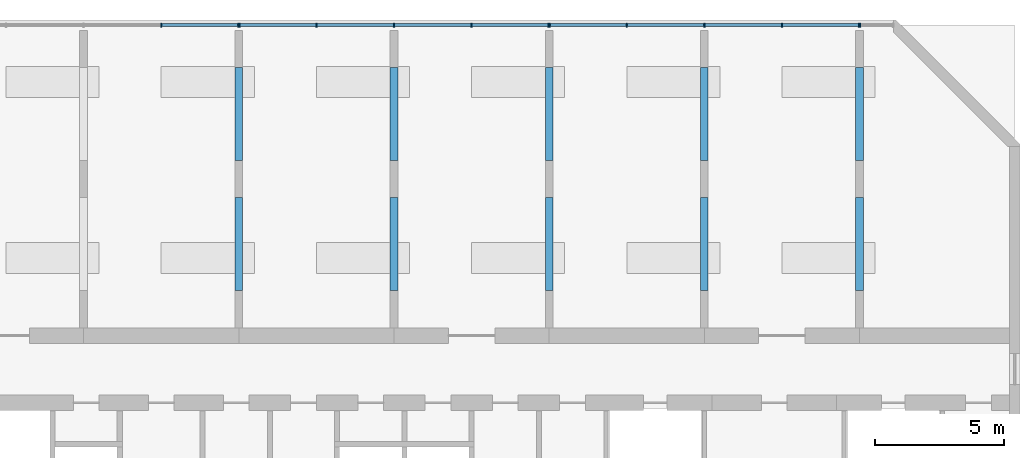
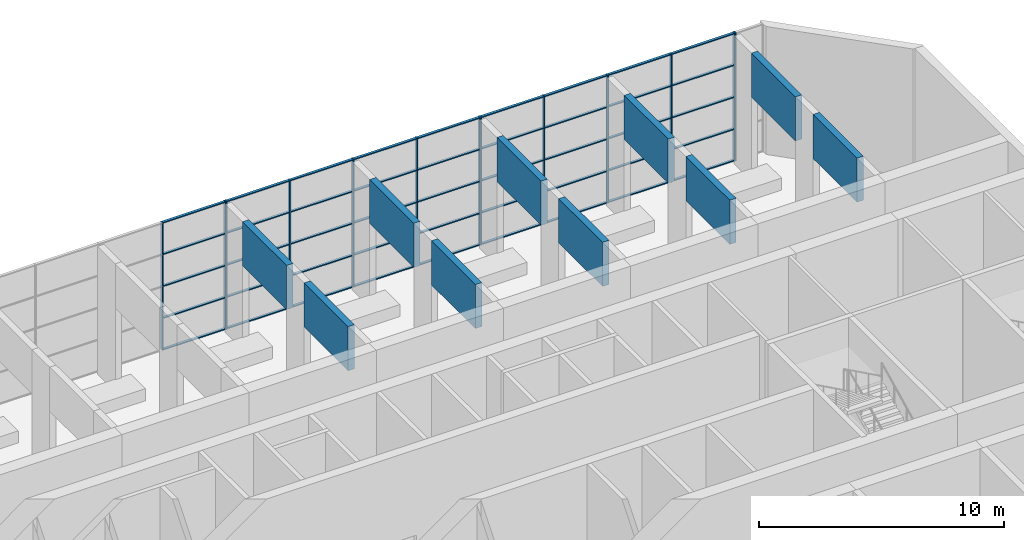
# One storey, part 2 of 13: 58 members, 10 beams, 4 elements without a shape of their own.
"""IFC4 building model written with IfcOpenShell, lengths in metres."""

from ifc_helpers import new_model, si_unit, direction, frame, origin, origin_2d, place, context, subcontext, project, spatial, rectangle, extrude, source, transform, mapped, material, layer, layer_set, material_profile, profile_set, type_object, element, aggregate, save


model = new_model("IFC4")

# Units and contexts
model_context = context("Model", 3, precision=1e-05, world=origin(), true_north=direction((0.0, 1.0)))
body_context = subcontext(model_context, "Body", "Model", "MODEL_VIEW")
ifc_project = project(units=[si_unit("LENGTHUNIT", "METRE"), si_unit("AREAUNIT", "SQUARE_METRE"), si_unit("VOLUMEUNIT", "CUBIC_METRE"), si_unit("PLANEANGLEUNIT", "RADIAN"), si_unit("MASSUNIT", "GRAM", prefix="KILO")], contexts=[model_context])

# Site, building, storey
site_placement = place(None, origin())
site = spatial("IfcSite", under=ifc_project, at=site_placement, CompositionType="ELEMENT")
building_placement = place(site_placement, origin())
building = spatial("IfcBuilding", under=site, at=building_placement, Name="Poui Terraces", CompositionType="ELEMENT")
storey_placement = place(building_placement, frame((0.0, 0.0, 165.300048828125)))
storey = spatial("IfcBuildingStorey", under=building, at=storey_placement, Name="L46", CompositionType="ELEMENT", Elevation=165.300048828125)

# Curtain wall, members
ifc_material_1 = material(Name="Clear glass", Category="glass")
ifc_layer = layer(ifc_material_1, 0.159912109375)
ifc_layer_set = layer_set([ifc_layer], Name="Clear glass")
curtain_wall_type = type_object("IfcCurtainWallType", Name="CURTAIN WALL CW-D SKY GARDEN GLAZING", PredefinedType="NOTDEFINED", material=ifc_layer_set)
curtain_wall_1_placement = place(storey_placement, origin())
curtain_wall_1 = element("IfcCurtainWall", 1, at=curtain_wall_1_placement, inside=storey, type_object=curtain_wall_type, Name="CW-D SKY GARDEN GLAZING", PredefinedType="NOTDEFINED")
ifc_material_2 = material(Name="Aluminium frame", Category="aluminium")
ifc_material_profile_1 = material_profile(ifc_material_2, rectangle(XDim=0.159912109375, YDim=0.050048828125, at=origin_2d()), Name="CW-D MULLION 50X160")
ifc_profile_set_1 = profile_set([ifc_material_profile_1], Name="Aluminium frame")
member_type_1 = type_object("IfcMemberType", Name="CW-D MULLION 50X160", PredefinedType="MULLION", material=ifc_profile_set_1)
member_1_placement = place(storey_placement, frame((53.97509765625, 42.39990234375, 0.0), z_axis=(0.0, 0.0, 1.0), x_axis=(0.0, -1.0, 0.0)))
member_1 = element("IfcMember", 2, at=member_1_placement, type_object=member_type_1, Name="CW-D mullion 1", PredefinedType="MULLION", context=body_context, shape_type="SweptSolid", body=[
    extrude(rectangle(XDim=0.159912109375, YDim=0.050048828125, at=origin_2d()), origin(), (0.0, 0.0, 1.0), 6.3798828125),
])
member_2_placement = place(storey_placement, frame((51.0, 42.39990234375, 0.0), z_axis=(0.0, 0.0, 1.0), x_axis=(0.0, -1.0, 0.0)))
member_2 = element("IfcMember", 3, at=member_2_placement, type_object=member_type_1, Name="CW-D mullion 2", PredefinedType="MULLION", context=body_context, shape_type="SweptSolid", body=[
    extrude(rectangle(XDim=0.159912109375, YDim=0.050048828125, at=origin_2d()), origin(), (0.0, 0.0, 1.0), 6.3798828125),
])

curtain_wall_2_placement = place(storey_placement, origin())
curtain_wall_2 = element("IfcCurtainWall", 4, at=curtain_wall_2_placement, inside=storey, type_object=curtain_wall_type, Name="CW-D SKY GARDEN GLAZING", PredefinedType="NOTDEFINED")
member_3_placement = place(storey_placement, frame((65.97509765625, 42.39990234375, 0.0), z_axis=(0.0, 0.0, 1.0), x_axis=(0.0, -1.0, 0.0)))
member_3 = element("IfcMember", 5, at=member_3_placement, type_object=member_type_1, Name="CW-D mullion 1", PredefinedType="MULLION", context=body_context, shape_type="SweptSolid", body=[
    extrude(rectangle(XDim=0.159912109375, YDim=0.050048828125, at=origin_2d()), origin(), (0.0, 0.0, 1.0), 6.3798828125),
])
member_4_placement = place(storey_placement, frame((63.0, 42.39990234375, 0.0), z_axis=(0.0, 0.0, 1.0), x_axis=(0.0, -1.0, 0.0)))
member_4 = element("IfcMember", 6, at=member_4_placement, type_object=member_type_1, Name="CW-D mullion 2", PredefinedType="MULLION", context=body_context, shape_type="SweptSolid", body=[
    extrude(rectangle(XDim=0.159912109375, YDim=0.050048828125, at=origin_2d()), origin(), (0.0, 0.0, 1.0), 6.3798828125),
])
member_5_placement = place(storey_placement, frame((60.0, 42.39990234375, 0.0), z_axis=(0.0, 0.0, 1.0), x_axis=(0.0, -1.0, 0.0)))
member_5 = element("IfcMember", 7, at=member_5_placement, type_object=member_type_1, Name="CW-D mullion 3", PredefinedType="MULLION", context=body_context, shape_type="SweptSolid", body=[
    extrude(rectangle(XDim=0.159912109375, YDim=0.050048828125, at=origin_2d()), origin(), (0.0, 0.0, 1.0), 6.3798828125),
])
member_6_placement = place(storey_placement, frame((57.0, 42.39990234375, 0.0), z_axis=(0.0, 0.0, 1.0), x_axis=(0.0, -1.0, 0.0)))
member_6 = element("IfcMember", 8, at=member_6_placement, type_object=member_type_1, Name="CW-D mullion 4", PredefinedType="MULLION", context=body_context, shape_type="SweptSolid", body=[
    extrude(rectangle(XDim=0.159912109375, YDim=0.050048828125, at=origin_2d()), origin(), (0.0, 0.0, 1.0), 6.3798828125),
])
member_7_placement = place(storey_placement, frame((54.02490234375, 42.39990234375, 0.0), z_axis=(0.0, 0.0, 1.0), x_axis=(0.0, -1.0, 0.0)))
member_7 = element("IfcMember", 9, at=member_7_placement, type_object=member_type_1, Name="CW-D mullion 5", PredefinedType="MULLION", context=body_context, shape_type="SweptSolid", body=[
    extrude(rectangle(XDim=0.159912109375, YDim=0.050048828125, at=origin_2d()), origin(), (0.0, 0.0, 1.0), 6.3798828125),
])

curtain_wall_3_placement = place(storey_placement, origin())
curtain_wall_3 = element("IfcCurtainWall", 10, at=curtain_wall_3_placement, inside=storey, type_object=curtain_wall_type, Name="CW-D SKY GARDEN GLAZING", PredefinedType="NOTDEFINED")
member_8_placement = place(storey_placement, frame((77.97509765625, 42.39990234375, 0.0), z_axis=(0.0, 0.0, 1.0), x_axis=(0.0, -1.0, 0.0)))
member_8 = element("IfcMember", 11, at=member_8_placement, type_object=member_type_1, Name="CW-D mullion 1", PredefinedType="MULLION", context=body_context, shape_type="SweptSolid", body=[
    extrude(rectangle(XDim=0.159912109375, YDim=0.050048828125, at=origin_2d()), origin(), (0.0, 0.0, 1.0), 6.3798828125),
])
member_9_placement = place(storey_placement, frame((75.0, 42.39990234375, 0.0), z_axis=(0.0, 0.0, 1.0), x_axis=(0.0, -1.0, 0.0)))
member_9 = element("IfcMember", 12, at=member_9_placement, type_object=member_type_1, Name="CW-D mullion 2", PredefinedType="MULLION", context=body_context, shape_type="SweptSolid", body=[
    extrude(rectangle(XDim=0.159912109375, YDim=0.050048828125, at=origin_2d()), origin(), (0.0, 0.0, 1.0), 6.3798828125),
])
member_10_placement = place(storey_placement, frame((72.0, 42.39990234375, 0.0), z_axis=(0.0, 0.0, 1.0), x_axis=(0.0, -1.0, 0.0)))
member_10 = element("IfcMember", 13, at=member_10_placement, type_object=member_type_1, Name="CW-D mullion 3", PredefinedType="MULLION", context=body_context, shape_type="SweptSolid", body=[
    extrude(rectangle(XDim=0.159912109375, YDim=0.050048828125, at=origin_2d()), origin(), (0.0, 0.0, 1.0), 6.3798828125),
])
member_11_placement = place(storey_placement, frame((69.0, 42.39990234375, 0.0), z_axis=(0.0, 0.0, 1.0), x_axis=(0.0, -1.0, 0.0)))
member_11 = element("IfcMember", 14, at=member_11_placement, type_object=member_type_1, Name="CW-D mullion 4", PredefinedType="MULLION", context=body_context, shape_type="SweptSolid", body=[
    extrude(rectangle(XDim=0.159912109375, YDim=0.050048828125, at=origin_2d()), origin(), (0.0, 0.0, 1.0), 6.3798828125),
])
member_12_placement = place(storey_placement, frame((66.02490234375, 42.39990234375, 0.0), z_axis=(0.0, 0.0, 1.0), x_axis=(0.0, -1.0, 0.0)))
member_12 = element("IfcMember", 15, at=member_12_placement, type_object=member_type_1, Name="CW-D mullion 5", PredefinedType="MULLION", context=body_context, shape_type="SweptSolid", body=[
    extrude(rectangle(XDim=0.159912109375, YDim=0.050048828125, at=origin_2d()), origin(), (0.0, 0.0, 1.0), 6.3798828125),
])

# Curtain wall, member
curtain_wall_4_placement = place(storey_placement, origin())
curtain_wall_4 = element("IfcCurtainWall", 16, at=curtain_wall_4_placement, inside=storey, type_object=curtain_wall_type, Name="CW-D SKY GARDEN GLAZING", PredefinedType="NOTDEFINED")
member_13_placement = place(storey_placement, frame((78.02490234375, 42.39990234375, 0.0), z_axis=(0.0, 0.0, 1.0), x_axis=(0.0, -1.0, 0.0)))
member_13 = element("IfcMember", 17, at=member_13_placement, type_object=member_type_1, Name="CW-D mullion 2", PredefinedType="MULLION", context=body_context, shape_type="SweptSolid", body=[
    extrude(rectangle(XDim=0.159912109375, YDim=0.050048828125, at=origin_2d()), origin(), (0.0, 0.0, 1.0), 6.3798828125),
])
aggregate(curtain_wall_4, [member_13])

# Member
ifc_material_profile_2 = material_profile(ifc_material_2, rectangle(XDim=0.1201171875, YDim=0.050048828125, at=origin_2d()), Name="CW-D TRANSOM 50X120")
ifc_profile_set_2 = profile_set([ifc_material_profile_2], Name="Aluminium frame")
member_type_2 = type_object("IfcMemberType", Name="CW-D TRANSOM 50X120", PredefinedType="USERDEFINED", material=ifc_profile_set_2)
member_14_placement = place(storey_placement, frame((53.949951171875, 42.39990234375, 0.02490234375), z_axis=(-1.0, 0.0, 0.0), x_axis=(0.0, -1.0, 0.0)))
member_14 = element("IfcMember", 18, at=member_14_placement, type_object=member_type_2, Name="CW-D transom 1.1", ObjectType="TRANSOM", PredefinedType="USERDEFINED", context=body_context, shape_type="SweptSolid", body=[
    extrude(rectangle(XDim=0.1201171875, YDim=0.050048828125, at=origin_2d()), origin(), (0.0, 0.0, 1.0), 2.925048828125),
])

member_15_placement = place(storey_placement, frame((53.949951171875, 42.39990234375, 1.594970703125), z_axis=(-1.0, 0.0, 0.0), x_axis=(0.0, -1.0, 0.0)))
member_15 = element("IfcMember", 19, at=member_15_placement, type_object=member_type_2, Name="CW-D transom 1.2", ObjectType="TRANSOM", PredefinedType="USERDEFINED", context=body_context, shape_type="SweptSolid", body=[
    extrude(rectangle(XDim=0.1201171875, YDim=0.050048828125, at=origin_2d()), origin(), (0.0, 0.0, 1.0), 2.925048828125),
])

member_16_placement = place(storey_placement, frame((53.949951171875, 42.39990234375, 3.18994140625), z_axis=(-1.0, 0.0, 0.0), x_axis=(0.0, -1.0, 0.0)))
member_16 = element("IfcMember", 20, at=member_16_placement, type_object=member_type_2, Name="CW-D transom 1.3", ObjectType="TRANSOM", PredefinedType="USERDEFINED", context=body_context, shape_type="SweptSolid", body=[
    extrude(rectangle(XDim=0.1201171875, YDim=0.050048828125, at=origin_2d()), origin(), (0.0, 0.0, 1.0), 2.925048828125),
])

member_17_placement = place(storey_placement, frame((53.949951171875, 42.39990234375, 4.784912109375), z_axis=(-1.0, 0.0, 0.0), x_axis=(0.0, -1.0, 0.0)))
member_17 = element("IfcMember", 21, at=member_17_placement, type_object=member_type_2, Name="CW-D transom 1.4", ObjectType="TRANSOM", PredefinedType="USERDEFINED", context=body_context, shape_type="SweptSolid", body=[
    extrude(rectangle(XDim=0.1201171875, YDim=0.050048828125, at=origin_2d()), origin(), (0.0, 0.0, 1.0), 2.925048828125),
])

member_18_placement = place(storey_placement, frame((53.949951171875, 42.39990234375, 6.35498046875), z_axis=(-1.0, 0.0, 0.0), x_axis=(0.0, -1.0, 0.0)))
member_18 = element("IfcMember", 22, at=member_18_placement, type_object=member_type_2, Name="CW-D transom 1.5", ObjectType="TRANSOM", PredefinedType="USERDEFINED", context=body_context, shape_type="SweptSolid", body=[
    extrude(rectangle(XDim=0.1201171875, YDim=0.050048828125, at=origin_2d()), origin(), (0.0, 0.0, 1.0), 2.925048828125),
])

aggregate(curtain_wall_1, [member_1, member_2, member_14, member_15, member_16, member_17, member_18])

member_19_placement = place(storey_placement, frame((65.949951171875, 42.39990234375, 0.02490234375), z_axis=(-1.0, 0.0, 0.0), x_axis=(0.0, -1.0, 0.0)))
member_19 = element("IfcMember", 23, at=member_19_placement, type_object=member_type_2, Name="CW-D transom 1.1", ObjectType="TRANSOM", PredefinedType="USERDEFINED", context=body_context, shape_type="SweptSolid", body=[
    extrude(rectangle(XDim=0.1201171875, YDim=0.050048828125, at=origin_2d()), origin(), (0.0, 0.0, 1.0), 2.925048828125),
])

member_20_placement = place(storey_placement, frame((65.949951171875, 42.39990234375, 1.594970703125), z_axis=(-1.0, 0.0, 0.0), x_axis=(0.0, -1.0, 0.0)))
member_20 = element("IfcMember", 24, at=member_20_placement, type_object=member_type_2, Name="CW-D transom 1.2", ObjectType="TRANSOM", PredefinedType="USERDEFINED", context=body_context, shape_type="SweptSolid", body=[
    extrude(rectangle(XDim=0.1201171875, YDim=0.050048828125, at=origin_2d()), origin(), (0.0, 0.0, 1.0), 2.925048828125),
])

member_21_placement = place(storey_placement, frame((65.949951171875, 42.39990234375, 3.18994140625), z_axis=(-1.0, 0.0, 0.0), x_axis=(0.0, -1.0, 0.0)))
member_21 = element("IfcMember", 25, at=member_21_placement, type_object=member_type_2, Name="CW-D transom 1.3", ObjectType="TRANSOM", PredefinedType="USERDEFINED", context=body_context, shape_type="SweptSolid", body=[
    extrude(rectangle(XDim=0.1201171875, YDim=0.050048828125, at=origin_2d()), origin(), (0.0, 0.0, 1.0), 2.925048828125),
])

member_22_placement = place(storey_placement, frame((65.949951171875, 42.39990234375, 4.784912109375), z_axis=(-1.0, 0.0, 0.0), x_axis=(0.0, -1.0, 0.0)))
member_22 = element("IfcMember", 26, at=member_22_placement, type_object=member_type_2, Name="CW-D transom 1.4", ObjectType="TRANSOM", PredefinedType="USERDEFINED", context=body_context, shape_type="SweptSolid", body=[
    extrude(rectangle(XDim=0.1201171875, YDim=0.050048828125, at=origin_2d()), origin(), (0.0, 0.0, 1.0), 2.925048828125),
])

member_23_placement = place(storey_placement, frame((65.949951171875, 42.39990234375, 6.35498046875), z_axis=(-1.0, 0.0, 0.0), x_axis=(0.0, -1.0, 0.0)))
member_23 = element("IfcMember", 27, at=member_23_placement, type_object=member_type_2, Name="CW-D transom 1.5", ObjectType="TRANSOM", PredefinedType="USERDEFINED", context=body_context, shape_type="SweptSolid", body=[
    extrude(rectangle(XDim=0.1201171875, YDim=0.050048828125, at=origin_2d()), origin(), (0.0, 0.0, 1.0), 2.925048828125),
])

member_24_placement = place(storey_placement, frame((62.97509765625, 42.39990234375, 0.02490234375), z_axis=(-1.0, 0.0, 0.0), x_axis=(0.0, -1.0, 0.0)))
member_24 = element("IfcMember", 28, at=member_24_placement, type_object=member_type_2, Name="CW-D transom 2.1", ObjectType="TRANSOM", PredefinedType="USERDEFINED", context=body_context, shape_type="SweptSolid", body=[
    extrude(rectangle(XDim=0.1201171875, YDim=0.050048828125, at=origin_2d()), origin(), (0.0, 0.0, 1.0), 2.9501953125),
])

member_25_placement = place(storey_placement, frame((62.97509765625, 42.39990234375, 1.594970703125), z_axis=(-1.0, 0.0, 0.0), x_axis=(0.0, -1.0, 0.0)))
member_25 = element("IfcMember", 29, at=member_25_placement, type_object=member_type_2, Name="CW-D transom 2.2", ObjectType="TRANSOM", PredefinedType="USERDEFINED", context=body_context, shape_type="SweptSolid", body=[
    extrude(rectangle(XDim=0.1201171875, YDim=0.050048828125, at=origin_2d()), origin(), (0.0, 0.0, 1.0), 2.9501953125),
])

member_26_placement = place(storey_placement, frame((62.97509765625, 42.39990234375, 3.18994140625), z_axis=(-1.0, 0.0, 0.0), x_axis=(0.0, -1.0, 0.0)))
member_26 = element("IfcMember", 30, at=member_26_placement, type_object=member_type_2, Name="CW-D transom 2.3", ObjectType="TRANSOM", PredefinedType="USERDEFINED", context=body_context, shape_type="SweptSolid", body=[
    extrude(rectangle(XDim=0.1201171875, YDim=0.050048828125, at=origin_2d()), origin(), (0.0, 0.0, 1.0), 2.9501953125),
])

member_27_placement = place(storey_placement, frame((62.97509765625, 42.39990234375, 4.784912109375), z_axis=(-1.0, 0.0, 0.0), x_axis=(0.0, -1.0, 0.0)))
member_27 = element("IfcMember", 31, at=member_27_placement, type_object=member_type_2, Name="CW-D transom 2.4", ObjectType="TRANSOM", PredefinedType="USERDEFINED", context=body_context, shape_type="SweptSolid", body=[
    extrude(rectangle(XDim=0.1201171875, YDim=0.050048828125, at=origin_2d()), origin(), (0.0, 0.0, 1.0), 2.9501953125),
])

member_28_placement = place(storey_placement, frame((62.97509765625, 42.39990234375, 6.35498046875), z_axis=(-1.0, 0.0, 0.0), x_axis=(0.0, -1.0, 0.0)))
member_28 = element("IfcMember", 32, at=member_28_placement, type_object=member_type_2, Name="CW-D transom 2.5", ObjectType="TRANSOM", PredefinedType="USERDEFINED", context=body_context, shape_type="SweptSolid", body=[
    extrude(rectangle(XDim=0.1201171875, YDim=0.050048828125, at=origin_2d()), origin(), (0.0, 0.0, 1.0), 2.9501953125),
])

member_29_placement = place(storey_placement, frame((59.97509765625, 42.39990234375, 0.02490234375), z_axis=(-1.0, 0.0, 0.0), x_axis=(0.0, -1.0, 0.0)))
member_29 = element("IfcMember", 33, at=member_29_placement, type_object=member_type_2, Name="CW-D transom 3.1", ObjectType="TRANSOM", PredefinedType="USERDEFINED", context=body_context, shape_type="SweptSolid", body=[
    extrude(rectangle(XDim=0.1201171875, YDim=0.050048828125, at=origin_2d()), origin(), (0.0, 0.0, 1.0), 2.9501953125),
])

member_30_placement = place(storey_placement, frame((59.97509765625, 42.39990234375, 1.594970703125), z_axis=(-1.0, 0.0, 0.0), x_axis=(0.0, -1.0, 0.0)))
member_30 = element("IfcMember", 34, at=member_30_placement, type_object=member_type_2, Name="CW-D transom 3.2", ObjectType="TRANSOM", PredefinedType="USERDEFINED", context=body_context, shape_type="SweptSolid", body=[
    extrude(rectangle(XDim=0.1201171875, YDim=0.050048828125, at=origin_2d()), origin(), (0.0, 0.0, 1.0), 2.9501953125),
])

member_31_placement = place(storey_placement, frame((59.97509765625, 42.39990234375, 3.18994140625), z_axis=(-1.0, 0.0, 0.0), x_axis=(0.0, -1.0, 0.0)))
member_31 = element("IfcMember", 35, at=member_31_placement, type_object=member_type_2, Name="CW-D transom 3.3", ObjectType="TRANSOM", PredefinedType="USERDEFINED", context=body_context, shape_type="SweptSolid", body=[
    extrude(rectangle(XDim=0.1201171875, YDim=0.050048828125, at=origin_2d()), origin(), (0.0, 0.0, 1.0), 2.9501953125),
])

member_32_placement = place(storey_placement, frame((59.97509765625, 42.39990234375, 4.784912109375), z_axis=(-1.0, 0.0, 0.0), x_axis=(0.0, -1.0, 0.0)))
member_32 = element("IfcMember", 36, at=member_32_placement, type_object=member_type_2, Name="CW-D transom 3.4", ObjectType="TRANSOM", PredefinedType="USERDEFINED", context=body_context, shape_type="SweptSolid", body=[
    extrude(rectangle(XDim=0.1201171875, YDim=0.050048828125, at=origin_2d()), origin(), (0.0, 0.0, 1.0), 2.9501953125),
])

member_33_placement = place(storey_placement, frame((59.97509765625, 42.39990234375, 6.35498046875), z_axis=(-1.0, 0.0, 0.0), x_axis=(0.0, -1.0, 0.0)))
member_33 = element("IfcMember", 37, at=member_33_placement, type_object=member_type_2, Name="CW-D transom 3.5", ObjectType="TRANSOM", PredefinedType="USERDEFINED", context=body_context, shape_type="SweptSolid", body=[
    extrude(rectangle(XDim=0.1201171875, YDim=0.050048828125, at=origin_2d()), origin(), (0.0, 0.0, 1.0), 2.9501953125),
])

member_34_placement = place(storey_placement, frame((56.97509765625, 42.39990234375, 0.02490234375), z_axis=(-1.0, 0.0, 0.0), x_axis=(0.0, -1.0, 0.0)))
member_34 = element("IfcMember", 38, at=member_34_placement, type_object=member_type_2, Name="CW-D transom 4.1", ObjectType="TRANSOM", PredefinedType="USERDEFINED", context=body_context, shape_type="SweptSolid", body=[
    extrude(rectangle(XDim=0.1201171875, YDim=0.050048828125, at=origin_2d()), origin(), (0.0, 0.0, 1.0), 2.925048828125),
])

member_35_placement = place(storey_placement, frame((56.97509765625, 42.39990234375, 1.594970703125), z_axis=(-1.0, 0.0, 0.0), x_axis=(0.0, -1.0, 0.0)))
member_35 = element("IfcMember", 39, at=member_35_placement, type_object=member_type_2, Name="CW-D transom 4.2", ObjectType="TRANSOM", PredefinedType="USERDEFINED", context=body_context, shape_type="SweptSolid", body=[
    extrude(rectangle(XDim=0.1201171875, YDim=0.050048828125, at=origin_2d()), origin(), (0.0, 0.0, 1.0), 2.925048828125),
])

member_36_placement = place(storey_placement, frame((56.97509765625, 42.39990234375, 3.18994140625), z_axis=(-1.0, 0.0, 0.0), x_axis=(0.0, -1.0, 0.0)))
member_36 = element("IfcMember", 40, at=member_36_placement, type_object=member_type_2, Name="CW-D transom 4.3", ObjectType="TRANSOM", PredefinedType="USERDEFINED", context=body_context, shape_type="SweptSolid", body=[
    extrude(rectangle(XDim=0.1201171875, YDim=0.050048828125, at=origin_2d()), origin(), (0.0, 0.0, 1.0), 2.925048828125),
])

member_37_placement = place(storey_placement, frame((56.97509765625, 42.39990234375, 4.784912109375), z_axis=(-1.0, 0.0, 0.0), x_axis=(0.0, -1.0, 0.0)))
member_37 = element("IfcMember", 41, at=member_37_placement, type_object=member_type_2, Name="CW-D transom 4.4", ObjectType="TRANSOM", PredefinedType="USERDEFINED", context=body_context, shape_type="SweptSolid", body=[
    extrude(rectangle(XDim=0.1201171875, YDim=0.050048828125, at=origin_2d()), origin(), (0.0, 0.0, 1.0), 2.925048828125),
])

member_38_placement = place(storey_placement, frame((56.97509765625, 42.39990234375, 6.35498046875), z_axis=(-1.0, 0.0, 0.0), x_axis=(0.0, -1.0, 0.0)))
member_38 = element("IfcMember", 42, at=member_38_placement, type_object=member_type_2, Name="CW-D transom 4.5", ObjectType="TRANSOM", PredefinedType="USERDEFINED", context=body_context, shape_type="SweptSolid", body=[
    extrude(rectangle(XDim=0.1201171875, YDim=0.050048828125, at=origin_2d()), origin(), (0.0, 0.0, 1.0), 2.925048828125),
])

aggregate(curtain_wall_2, [member_3, member_4, member_5, member_6, member_7, member_19, member_20, member_21, member_22, member_23, member_24, member_25, member_26, member_27, member_28, member_29, member_30, member_31, member_32, member_33, member_34, member_35, member_36, member_37, member_38])

member_39_placement = place(storey_placement, frame((77.949951171875, 42.39990234375, 0.02490234375), z_axis=(-1.0, 0.0, 0.0), x_axis=(0.0, -1.0, 0.0)))
member_39 = element("IfcMember", 43, at=member_39_placement, type_object=member_type_2, Name="CW-D transom 1.1", ObjectType="TRANSOM", PredefinedType="USERDEFINED", context=body_context, shape_type="SweptSolid", body=[
    extrude(rectangle(XDim=0.1201171875, YDim=0.050048828125, at=origin_2d()), origin(), (0.0, 0.0, 1.0), 2.925048828125),
])

member_40_placement = place(storey_placement, frame((77.949951171875, 42.39990234375, 1.594970703125), z_axis=(-1.0, 0.0, 0.0), x_axis=(0.0, -1.0, 0.0)))
member_40 = element("IfcMember", 44, at=member_40_placement, type_object=member_type_2, Name="CW-D transom 1.2", ObjectType="TRANSOM", PredefinedType="USERDEFINED", context=body_context, shape_type="SweptSolid", body=[
    extrude(rectangle(XDim=0.1201171875, YDim=0.050048828125, at=origin_2d()), origin(), (0.0, 0.0, 1.0), 2.925048828125),
])

member_41_placement = place(storey_placement, frame((77.949951171875, 42.39990234375, 3.18994140625), z_axis=(-1.0, 0.0, 0.0), x_axis=(0.0, -1.0, 0.0)))
member_41 = element("IfcMember", 45, at=member_41_placement, type_object=member_type_2, Name="CW-D transom 1.3", ObjectType="TRANSOM", PredefinedType="USERDEFINED", context=body_context, shape_type="SweptSolid", body=[
    extrude(rectangle(XDim=0.1201171875, YDim=0.050048828125, at=origin_2d()), origin(), (0.0, 0.0, 1.0), 2.925048828125),
])

member_42_placement = place(storey_placement, frame((77.949951171875, 42.39990234375, 4.784912109375), z_axis=(-1.0, 0.0, 0.0), x_axis=(0.0, -1.0, 0.0)))
member_42 = element("IfcMember", 46, at=member_42_placement, type_object=member_type_2, Name="CW-D transom 1.4", ObjectType="TRANSOM", PredefinedType="USERDEFINED", context=body_context, shape_type="SweptSolid", body=[
    extrude(rectangle(XDim=0.1201171875, YDim=0.050048828125, at=origin_2d()), origin(), (0.0, 0.0, 1.0), 2.925048828125),
])

member_43_placement = place(storey_placement, frame((77.949951171875, 42.39990234375, 6.35498046875), z_axis=(-1.0, 0.0, 0.0), x_axis=(0.0, -1.0, 0.0)))
member_43 = element("IfcMember", 47, at=member_43_placement, type_object=member_type_2, Name="CW-D transom 1.5", ObjectType="TRANSOM", PredefinedType="USERDEFINED", context=body_context, shape_type="SweptSolid", body=[
    extrude(rectangle(XDim=0.1201171875, YDim=0.050048828125, at=origin_2d()), origin(), (0.0, 0.0, 1.0), 2.925048828125),
])

member_44_placement = place(storey_placement, frame((74.97509765625, 42.39990234375, 0.02490234375), z_axis=(-1.0, 0.0, 0.0), x_axis=(0.0, -1.0, 0.0)))
member_44 = element("IfcMember", 48, at=member_44_placement, type_object=member_type_2, Name="CW-D transom 2.1", ObjectType="TRANSOM", PredefinedType="USERDEFINED", context=body_context, shape_type="SweptSolid", body=[
    extrude(rectangle(XDim=0.1201171875, YDim=0.050048828125, at=origin_2d()), origin(), (0.0, 0.0, 1.0), 2.9501953125),
])

member_45_placement = place(storey_placement, frame((74.97509765625, 42.39990234375, 1.594970703125), z_axis=(-1.0, 0.0, 0.0), x_axis=(0.0, -1.0, 0.0)))
member_45 = element("IfcMember", 49, at=member_45_placement, type_object=member_type_2, Name="CW-D transom 2.2", ObjectType="TRANSOM", PredefinedType="USERDEFINED", context=body_context, shape_type="SweptSolid", body=[
    extrude(rectangle(XDim=0.1201171875, YDim=0.050048828125, at=origin_2d()), origin(), (0.0, 0.0, 1.0), 2.9501953125),
])

member_46_placement = place(storey_placement, frame((74.97509765625, 42.39990234375, 3.18994140625), z_axis=(-1.0, 0.0, 0.0), x_axis=(0.0, -1.0, 0.0)))
member_46 = element("IfcMember", 50, at=member_46_placement, type_object=member_type_2, Name="CW-D transom 2.3", ObjectType="TRANSOM", PredefinedType="USERDEFINED", context=body_context, shape_type="SweptSolid", body=[
    extrude(rectangle(XDim=0.1201171875, YDim=0.050048828125, at=origin_2d()), origin(), (0.0, 0.0, 1.0), 2.9501953125),
])

member_47_placement = place(storey_placement, frame((74.97509765625, 42.39990234375, 4.784912109375), z_axis=(-1.0, 0.0, 0.0), x_axis=(0.0, -1.0, 0.0)))
member_47 = element("IfcMember", 51, at=member_47_placement, type_object=member_type_2, Name="CW-D transom 2.4", ObjectType="TRANSOM", PredefinedType="USERDEFINED", context=body_context, shape_type="SweptSolid", body=[
    extrude(rectangle(XDim=0.1201171875, YDim=0.050048828125, at=origin_2d()), origin(), (0.0, 0.0, 1.0), 2.9501953125),
])

member_48_placement = place(storey_placement, frame((74.97509765625, 42.39990234375, 6.35498046875), z_axis=(-1.0, 0.0, 0.0), x_axis=(0.0, -1.0, 0.0)))
member_48 = element("IfcMember", 52, at=member_48_placement, type_object=member_type_2, Name="CW-D transom 2.5", ObjectType="TRANSOM", PredefinedType="USERDEFINED", context=body_context, shape_type="SweptSolid", body=[
    extrude(rectangle(XDim=0.1201171875, YDim=0.050048828125, at=origin_2d()), origin(), (0.0, 0.0, 1.0), 2.9501953125),
])

member_49_placement = place(storey_placement, frame((71.97509765625, 42.39990234375, 0.02490234375), z_axis=(-1.0, 0.0, 0.0), x_axis=(0.0, -1.0, 0.0)))
member_49 = element("IfcMember", 53, at=member_49_placement, type_object=member_type_2, Name="CW-D transom 3.1", ObjectType="TRANSOM", PredefinedType="USERDEFINED", context=body_context, shape_type="SweptSolid", body=[
    extrude(rectangle(XDim=0.1201171875, YDim=0.050048828125, at=origin_2d()), origin(), (0.0, 0.0, 1.0), 2.9501953125),
])

member_50_placement = place(storey_placement, frame((71.97509765625, 42.39990234375, 1.594970703125), z_axis=(-1.0, 0.0, 0.0), x_axis=(0.0, -1.0, 0.0)))
member_50 = element("IfcMember", 54, at=member_50_placement, type_object=member_type_2, Name="CW-D transom 3.2", ObjectType="TRANSOM", PredefinedType="USERDEFINED", context=body_context, shape_type="SweptSolid", body=[
    extrude(rectangle(XDim=0.1201171875, YDim=0.050048828125, at=origin_2d()), origin(), (0.0, 0.0, 1.0), 2.9501953125),
])

member_51_placement = place(storey_placement, frame((71.97509765625, 42.39990234375, 3.18994140625), z_axis=(-1.0, 0.0, 0.0), x_axis=(0.0, -1.0, 0.0)))
member_51 = element("IfcMember", 55, at=member_51_placement, type_object=member_type_2, Name="CW-D transom 3.3", ObjectType="TRANSOM", PredefinedType="USERDEFINED", context=body_context, shape_type="SweptSolid", body=[
    extrude(rectangle(XDim=0.1201171875, YDim=0.050048828125, at=origin_2d()), origin(), (0.0, 0.0, 1.0), 2.9501953125),
])

member_52_placement = place(storey_placement, frame((71.97509765625, 42.39990234375, 4.784912109375), z_axis=(-1.0, 0.0, 0.0), x_axis=(0.0, -1.0, 0.0)))
member_52 = element("IfcMember", 56, at=member_52_placement, type_object=member_type_2, Name="CW-D transom 3.4", ObjectType="TRANSOM", PredefinedType="USERDEFINED", context=body_context, shape_type="SweptSolid", body=[
    extrude(rectangle(XDim=0.1201171875, YDim=0.050048828125, at=origin_2d()), origin(), (0.0, 0.0, 1.0), 2.9501953125),
])

member_53_placement = place(storey_placement, frame((71.97509765625, 42.39990234375, 6.35498046875), z_axis=(-1.0, 0.0, 0.0), x_axis=(0.0, -1.0, 0.0)))
member_53 = element("IfcMember", 57, at=member_53_placement, type_object=member_type_2, Name="CW-D transom 3.5", ObjectType="TRANSOM", PredefinedType="USERDEFINED", context=body_context, shape_type="SweptSolid", body=[
    extrude(rectangle(XDim=0.1201171875, YDim=0.050048828125, at=origin_2d()), origin(), (0.0, 0.0, 1.0), 2.9501953125),
])

member_54_placement = place(storey_placement, frame((68.97509765625, 42.39990234375, 0.02490234375), z_axis=(-1.0, 0.0, 0.0), x_axis=(0.0, -1.0, 0.0)))
member_54 = element("IfcMember", 58, at=member_54_placement, type_object=member_type_2, Name="CW-D transom 4.1", ObjectType="TRANSOM", PredefinedType="USERDEFINED", context=body_context, shape_type="SweptSolid", body=[
    extrude(rectangle(XDim=0.1201171875, YDim=0.050048828125, at=origin_2d()), origin(), (0.0, 0.0, 1.0), 2.925048828125),
])

member_55_placement = place(storey_placement, frame((68.97509765625, 42.39990234375, 1.594970703125), z_axis=(-1.0, 0.0, 0.0), x_axis=(0.0, -1.0, 0.0)))
member_55 = element("IfcMember", 59, at=member_55_placement, type_object=member_type_2, Name="CW-D transom 4.2", ObjectType="TRANSOM", PredefinedType="USERDEFINED", context=body_context, shape_type="SweptSolid", body=[
    extrude(rectangle(XDim=0.1201171875, YDim=0.050048828125, at=origin_2d()), origin(), (0.0, 0.0, 1.0), 2.925048828125),
])

member_56_placement = place(storey_placement, frame((68.97509765625, 42.39990234375, 3.18994140625), z_axis=(-1.0, 0.0, 0.0), x_axis=(0.0, -1.0, 0.0)))
member_56 = element("IfcMember", 60, at=member_56_placement, type_object=member_type_2, Name="CW-D transom 4.3", ObjectType="TRANSOM", PredefinedType="USERDEFINED", context=body_context, shape_type="SweptSolid", body=[
    extrude(rectangle(XDim=0.1201171875, YDim=0.050048828125, at=origin_2d()), origin(), (0.0, 0.0, 1.0), 2.925048828125),
])

member_57_placement = place(storey_placement, frame((68.97509765625, 42.39990234375, 4.784912109375), z_axis=(-1.0, 0.0, 0.0), x_axis=(0.0, -1.0, 0.0)))
member_57 = element("IfcMember", 61, at=member_57_placement, type_object=member_type_2, Name="CW-D transom 4.4", ObjectType="TRANSOM", PredefinedType="USERDEFINED", context=body_context, shape_type="SweptSolid", body=[
    extrude(rectangle(XDim=0.1201171875, YDim=0.050048828125, at=origin_2d()), origin(), (0.0, 0.0, 1.0), 2.925048828125),
])

member_58_placement = place(storey_placement, frame((68.97509765625, 42.39990234375, 6.35498046875), z_axis=(-1.0, 0.0, 0.0), x_axis=(0.0, -1.0, 0.0)))
member_58 = element("IfcMember", 62, at=member_58_placement, type_object=member_type_2, Name="CW-D transom 4.5", ObjectType="TRANSOM", PredefinedType="USERDEFINED", context=body_context, shape_type="SweptSolid", body=[
    extrude(rectangle(XDim=0.1201171875, YDim=0.050048828125, at=origin_2d()), origin(), (0.0, 0.0, 1.0), 2.925048828125),
])

aggregate(curtain_wall_3, [member_8, member_9, member_10, member_11, member_12, member_39, member_40, member_41, member_42, member_43, member_44, member_45, member_46, member_47, member_48, member_49, member_50, member_51, member_52, member_53, member_54, member_55, member_56, member_57, member_58])

# Beams
ifc_material_3 = material(Name="Concrete 65 MPa", Category="concrete")
ifc_material_profile_3 = material_profile(ifc_material_3, rectangle(XDim=0.300048828125, YDim=2.199951171875, at=origin_2d()), Name="RC 300x2200")
ifc_profile_set_3 = profile_set([ifc_material_profile_3], Name="Concrete 65 MPa")
beam_type = type_object("IfcBeamType", Name="DEEP BEAM 300x2200 65MPa", PredefinedType="BEAM", material=ifc_profile_set_3)
shared_shape_1 = source(origin(), body_context, "Body", "SweptSolid", [
    extrude(rectangle(XDim=0.300048828125, YDim=2.199951171875, at=origin_2d()), origin(), (0.0, 0.0, 1.0), 3.60009765625),
])
for number, where, z_axis, x_axis, name in (
    (63, (54.0, 32.13330078125, 5.280029296875), (0.0, 1.0, 0.0), (-1.0, 0.0, 0.0), "DEEP BEAM LINE 10 1"),
    (64, (60.0, 32.13330078125, 5.280029296875), (0.0, 1.0, 0.0), (-1.0, 0.0, 0.0), "DEEP BEAM LINE 11 1"),
    (65, (66.0, 32.13330078125, 5.280029296875), (0.0, 1.0, 0.0), (-1.0, 0.0, 0.0), "DEEP BEAM LINE 12 1"),
    (66, (72.0, 32.13330078125, 5.280029296875), (0.0, 1.0, 0.0), (-1.0, 0.0, 0.0), "DEEP BEAM LINE 13 1"),
    (67, (78.0, 32.13330078125, 5.280029296875), (0.0, 1.0, 0.0), (-1.0, 0.0, 0.0), "DEEP BEAM LINE 14 1"),
):
    element("IfcBeam", number, at=place(storey_placement, frame(where, z_axis=z_axis, x_axis=x_axis)), inside=storey, type_object=beam_type, Name=name, PredefinedType="BEAM", context=body_context, shape_type="MappedRepresentation", body=[
        mapped(shared_shape_1, transform((0.0, 0.0, 0.0))),
    ])
shared_shape_2 = source(origin(), body_context, "Body", "SweptSolid", [
    extrude(rectangle(XDim=0.300048828125, YDim=2.199951171875, at=origin_2d()), origin(), (0.0, 0.0, 1.0), 3.599853515625),
])
for number, where, z_axis, x_axis, name in (
    (68, (54.0, 37.166748046875, 5.280029296875), (0.0, 1.0, 0.0), (-1.0, 0.0, 0.0), "DEEP BEAM LINE 10 2"),
    (69, (60.0, 37.166748046875, 5.280029296875), (0.0, 1.0, 0.0), (-1.0, 0.0, 0.0), "DEEP BEAM LINE 11 2"),
    (70, (66.0, 37.166748046875, 5.280029296875), (0.0, 1.0, 0.0), (-1.0, 0.0, 0.0), "DEEP BEAM LINE 12 2"),
    (71, (72.0, 37.166748046875, 5.280029296875), (0.0, 1.0, 0.0), (-1.0, 0.0, 0.0), "DEEP BEAM LINE 13 2"),
    (72, (78.0, 37.166748046875, 5.280029296875), (0.0, 1.0, 0.0), (-1.0, 0.0, 0.0), "DEEP BEAM LINE 14 2"),
):
    element("IfcBeam", number, at=place(storey_placement, frame(where, z_axis=z_axis, x_axis=x_axis)), inside=storey, type_object=beam_type, Name=name, PredefinedType="BEAM", context=body_context, shape_type="MappedRepresentation", body=[
        mapped(shared_shape_2, transform((0.0, 0.0, 0.0))),
    ])

save(model, "model.ifc")
